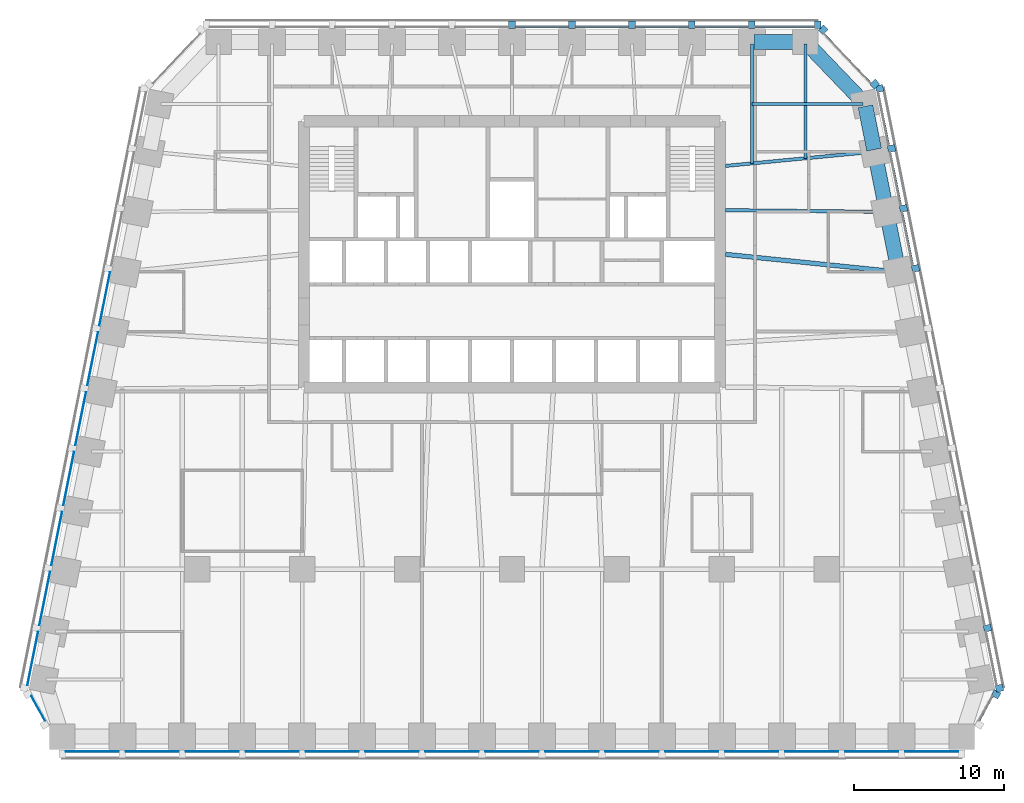
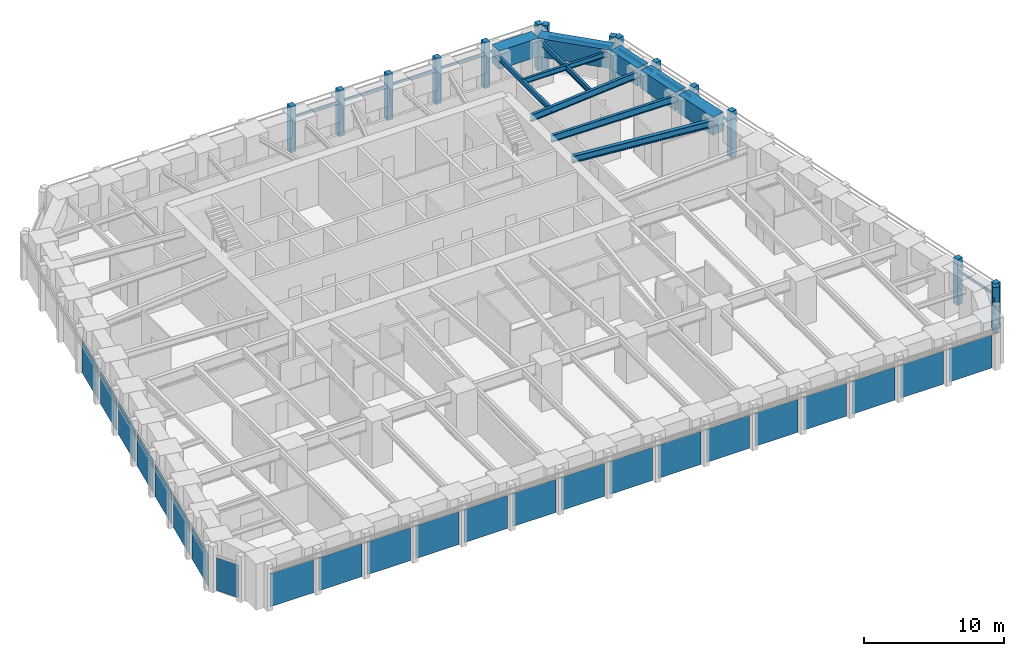
# One storey, part 4 of 10: 26 members, 23 plates, 11 beams, 7 elements without a shape of their own.
"""IFC4 building model written with IfcOpenShell, lengths in metres."""

from ifc_helpers import new_model, si_unit, direction, frame, origin, origin_2d, place, context, subcontext, project, spatial, rectangle, i_section, extrude, material, layer, layer_set, material_profile, profile_set, type_object, element, aggregate, save


model = new_model("IFC4")

# Units and contexts
model_context = context("Model", 3, precision=1e-05, world=origin(), true_north=direction((0.0, 1.0)))
body_context = subcontext(model_context, "Body", "Model", "MODEL_VIEW")
ifc_project = project(units=[si_unit("LENGTHUNIT", "METRE"), si_unit("AREAUNIT", "SQUARE_METRE"), si_unit("VOLUMEUNIT", "CUBIC_METRE"), si_unit("PLANEANGLEUNIT", "RADIAN"), si_unit("MASSUNIT", "GRAM", prefix="KILO")], contexts=[model_context])

# Site, building, storey
site_placement = place(None, origin())
site = spatial("IfcSite", under=ifc_project, at=site_placement, CompositionType="ELEMENT")
building_placement = place(site_placement, origin())
building = spatial("IfcBuilding", under=site, at=building_placement, Name="Isbrekke Arena Tower", CompositionType="ELEMENT")
storey_placement = place(building_placement, frame((0.0, 0.0, 155.0)))
storey = spatial("IfcBuildingStorey", under=building, at=storey_placement, Name="L35", CompositionType="ELEMENT", Elevation=155.0)

# Beams
ifc_material_1 = material(Name="Steel S355", Category="steel")
ifc_material_profile_1 = material_profile(ifc_material_1, i_section(OverallWidth=0.219970703125, OverallDepth=0.60009765625, WebThickness=0.011962890625, FlangeThickness=0.01904296875, FilletRadius=0.02392578125, at=origin_2d()), Name="IPE 600")
ifc_profile_set_1 = profile_set([ifc_material_profile_1], Name="Steel S355")
beam_type_1 = type_object("IfcBeamType", Name="B1 IPE 600", PredefinedType="BEAM", material=ifc_profile_set_1)
beam_1_placement = place(storey_placement, frame((24.83984375, 17.838134765625, 3.550048828125), z_axis=(-0.999944260169, 0.010558245831, 0.0), x_axis=(-0.010558245831, -0.999944260169, 0.0)))
element("IfcBeam", 1, at=beam_1_placement, inside=storey, type_object=beam_type_1, Name="B1 beam E-E09 L35", PredefinedType="BEAM", context=body_context, shape_type="SweptSolid", body=[
    extrude(i_section(OverallWidth=0.219970703125, OverallDepth=0.60009765625, WebThickness=0.011962890625, FlangeThickness=0.01904296875, FilletRadius=0.02392578125, at=origin_2d()), origin(), (0.0, 0.0, 1.0), 10.59033203125),
])
beam_2_placement = place(storey_placement, frame((24.030517578125, 21.837158203125, 3.550048828125), z_axis=(-0.995439798606, -0.095391862082, 0.0), x_axis=(0.095391862082, -0.995439798606, 0.0)))
element("IfcBeam", 2, at=beam_2_placement, inside=storey, type_object=beam_type_1, Name="B1 beam E-E10 L35", PredefinedType="BEAM", context=body_context, shape_type="SweptSolid", body=[
    extrude(i_section(OverallWidth=0.219970703125, OverallDepth=0.60009765625, WebThickness=0.011962890625, FlangeThickness=0.01904296875, FilletRadius=0.02392578125, at=origin_2d()), origin(), (0.0, 0.0, 1.0), 9.825439453125),
])
ifc_material_2 = material(Name="Steel S355", Category="steel")
ifc_material_profile_2 = material_profile(ifc_material_2, i_section(OverallWidth=0.18994140625, OverallDepth=0.449951171875, WebThickness=0.009521484375, FlangeThickness=0.0146484375, FilletRadius=0.02099609375, at=origin_2d()), Name="IPE 450")
ifc_profile_set_2 = profile_set([ifc_material_profile_2], Name="Steel S355")
beam_type_2 = type_object("IfcBeamType", Name="B2 IPE 450", PredefinedType="BEAM", material=ifc_profile_set_2)
beam_3_placement = place(storey_placement, frame((23.40283203125, 25.029296875, 3.625), z_axis=(-1.0, 0.0, 0.0), x_axis=(0.0, -1.0, 0.0)))
element("IfcBeam", 3, at=beam_3_placement, inside=storey, type_object=beam_type_2, Name="B2 beam E-E11 L35", PredefinedType="BEAM", context=body_context, shape_type="SweptSolid", body=[
    extrude(i_section(OverallWidth=0.18994140625, OverallDepth=0.449951171875, WebThickness=0.009521484375, FlangeThickness=0.0146484375, FilletRadius=0.02099609375, at=origin_2d()), origin(), (0.0, 0.0, 1.0), 7.40283203125),
])
ifc_material_3 = material(Name="Steel S355", Category="steel")
ifc_material_profile_3 = material_profile(ifc_material_3, i_section(OverallWidth=0.18994140625, OverallDepth=0.449951171875, WebThickness=0.009521484375, FlangeThickness=0.0146484375, FilletRadius=0.02099609375, at=origin_2d()), Name="IPE 450")
ifc_profile_set_3 = profile_set([ifc_material_profile_3], Name="Steel S355")
beam_type_3 = type_object("IfcBeamType", Name="B3 IPE 450", PredefinedType="BEAM", material=ifc_profile_set_3)
beam_4_placement = place(storey_placement, frame((19.574951171875, 29.02490234375, 3.625), z_axis=(0.0, -1.0, 0.0), x_axis=(1.0, 0.0, 0.0)))
element("IfcBeam", 4, at=beam_4_placement, inside=storey, type_object=beam_type_3, Name="B3 beam N-N01 L35", PredefinedType="BEAM", context=body_context, shape_type="SweptSolid", body=[
    extrude(i_section(OverallWidth=0.18994140625, OverallDepth=0.449951171875, WebThickness=0.009521484375, FlangeThickness=0.0146484375, FilletRadius=0.02099609375, at=origin_2d()), origin(), (0.0, 0.0, 1.0), 7.61474609375),
])
beam_5_placement = place(storey_placement, frame((16.0, 29.02490234375, 3.625), z_axis=(0.0, -1.0, 0.0), x_axis=(1.0, 0.0, 0.0)))
element("IfcBeam", 5, at=beam_5_placement, inside=storey, type_object=beam_type_3, Name="B3 beam N-N02 L35", PredefinedType="BEAM", context=body_context, shape_type="SweptSolid", body=[
    extrude(i_section(OverallWidth=0.18994140625, OverallDepth=0.449951171875, WebThickness=0.009521484375, FlangeThickness=0.0146484375, FilletRadius=0.02099609375, at=origin_2d()), origin(), (0.0, 0.0, 1.0), 7.957275390625),
])
ifc_material_4 = material(Name="Steel S355", Category="steel")
ifc_material_profile_4 = material_profile(ifc_material_4, i_section(OverallWidth=0.300048828125, OverallDepth=0.60009765625, WebThickness=0.015380859375, FlangeThickness=0.030029296875, FilletRadius=0.027099609375, at=origin_2d()), Name="HEB 600")
ifc_profile_set_4 = profile_set([ifc_material_profile_4], Name="Steel S355")
beam_type_4 = type_object("IfcBeamType", Name="B7 HEB 600", PredefinedType="BEAM", material=ifc_profile_set_4)
beam_6_placement = place(storey_placement, frame((25.6259765625, 13.83984375, 3.550048828125), z_axis=(-0.994839949319, 0.10145676537, 0.0), x_axis=(-0.10145676537, -0.994839949319, 0.0)))
element("IfcBeam", 6, at=beam_6_placement, inside=storey, type_object=beam_type_4, Name="B7 beam E-E08 L35", PredefinedType="BEAM", context=body_context, shape_type="SweptSolid", body=[
    extrude(i_section(OverallWidth=0.300048828125, OverallDepth=0.60009765625, WebThickness=0.015380859375, FlangeThickness=0.030029296875, FilletRadius=0.027099609375, at=origin_2d()), origin(), (0.0, 0.0, 1.0), 11.43505859375),
])

# Curtain wall, member
ifc_material_5 = material(Name="Glazed aluminium curtain wall", Category="aluminium")
curtain_wall_type = type_object("IfcCurtainWallType", Name="CWM TOWER CURTAIN WALL MID ZONE", PredefinedType="USERDEFINED", material=ifc_material_5)
curtain_wall_1_placement = place(storey_placement, origin())
curtain_wall_1 = element("IfcCurtainWall", 7, at=curtain_wall_1_placement, inside=storey, type_object=curtain_wall_type, Name="CWM curtain wall L35-SE", ObjectType="TOWER CURTAIN WALL MID ZONE", PredefinedType="USERDEFINED")
ifc_material_6 = material(Name="Aluminium mullion, pale brick slip cladding", Category="masonry")
ifc_material_profile_5 = material_profile(ifc_material_6, rectangle(XDim=0.449951171875, YDim=0.5, at=origin_2d()), Name="PIER 450X500")
ifc_profile_set_5 = profile_set([ifc_material_profile_5], Name="Aluminium mullion, pale brick slip cladding")
member_type_1 = type_object("IfcMemberType", Name="CWM-M PIER MULLION 450 x 500", PredefinedType="MULLION", material=ifc_profile_set_5)
member_1_placement = place(storey_placement, frame((32.296142578125, -14.34375, 0.0), z_axis=(0.0, 0.0, 1.0), x_axis=(0.481918749773, 0.876215908676, 0.0)))
member_1 = element("IfcMember", 8, at=member_1_placement, type_object=member_type_1, Name="CWM-M mullion 2", PredefinedType="MULLION", context=body_context, shape_type="SweptSolid", body=[
    extrude(rectangle(XDim=0.449951171875, YDim=0.5, at=origin_2d()), origin(), (0.0, 0.0, 1.0), 4.0),
])

# Curtain wall, members
curtain_wall_2_placement = place(storey_placement, origin())
curtain_wall_2 = element("IfcCurtainWall", 9, at=curtain_wall_2_placement, inside=storey, type_object=curtain_wall_type, Name="CWM curtain wall L35-E", ObjectType="TOWER CURTAIN WALL MID ZONE", PredefinedType="USERDEFINED")
member_2_placement = place(storey_placement, frame((32.518798828125, -13.936279296875, 0.0), z_axis=(0.0, 0.0, 1.0), x_axis=(-0.196116135138, 0.980580675691, 0.0)))
member_2 = element("IfcMember", 10, at=member_2_placement, type_object=member_type_1, Name="CWM-M mullion 1", PredefinedType="MULLION", context=body_context, shape_type="SweptSolid", body=[
    extrude(rectangle(XDim=0.449951171875, YDim=0.5, at=origin_2d()), origin(), (0.0, 0.0, 1.0), 4.0),
])
member_3_placement = place(storey_placement, frame((31.71875, -9.936279296875, 0.0), z_axis=(0.0, 0.0, 1.0), x_axis=(-0.196116135138, 0.980580675691, 0.0)))
member_3 = element("IfcMember", 11, at=member_3_placement, type_object=member_type_1, Name="CWM-M mullion 2", PredefinedType="MULLION", context=body_context, shape_type="SweptSolid", body=[
    extrude(rectangle(XDim=0.449951171875, YDim=0.5, at=origin_2d()), origin(), (0.0, 0.0, 1.0), 4.0),
])
member_4_placement = place(storey_placement, frame((26.918701171875, 14.063720703125, 0.0), z_axis=(0.0, 0.0, 1.0), x_axis=(-0.196116135138, 0.980580675691, 0.0)))
member_4 = element("IfcMember", 12, at=member_4_placement, type_object=member_type_1, Name="CWM-M mullion 8", PredefinedType="MULLION", context=body_context, shape_type="SweptSolid", body=[
    extrude(rectangle(XDim=0.449951171875, YDim=0.5, at=origin_2d()), origin(), (0.0, 0.0, 1.0), 4.0),
])
member_5_placement = place(storey_placement, frame((26.11865234375, 18.063720703125, 0.0), z_axis=(0.0, 0.0, 1.0), x_axis=(-0.196116135138, 0.980580675691, 0.0)))
member_5 = element("IfcMember", 13, at=member_5_placement, type_object=member_type_1, Name="CWM-M mullion 9", PredefinedType="MULLION", context=body_context, shape_type="SweptSolid", body=[
    extrude(rectangle(XDim=0.449951171875, YDim=0.5, at=origin_2d()), origin(), (0.0, 0.0, 1.0), 4.0),
])
member_6_placement = place(storey_placement, frame((25.318603515625, 22.063720703125, 0.0), z_axis=(0.0, 0.0, 1.0), x_axis=(-0.196116135138, 0.980580675691, 0.0)))
member_6 = element("IfcMember", 14, at=member_6_placement, type_object=member_type_1, Name="CWM-M mullion 10", PredefinedType="MULLION", context=body_context, shape_type="SweptSolid", body=[
    extrude(rectangle(XDim=0.449951171875, YDim=0.5, at=origin_2d()), origin(), (0.0, 0.0, 1.0), 4.0),
])
member_7_placement = place(storey_placement, frame((24.518798828125, 26.063720703125, 0.0), z_axis=(0.0, 0.0, 1.0), x_axis=(-0.196116135138, 0.980580675691, 0.0)))
member_7 = element("IfcMember", 15, at=member_7_placement, type_object=member_type_1, Name="CWM-M mullion 11", PredefinedType="MULLION", context=body_context, shape_type="SweptSolid", body=[
    extrude(rectangle(XDim=0.449951171875, YDim=0.5, at=origin_2d()), origin(), (0.0, 0.0, 1.0), 4.0),
])

curtain_wall_3_placement = place(storey_placement, origin())
curtain_wall_3 = element("IfcCurtainWall", 16, at=curtain_wall_3_placement, inside=storey, type_object=curtain_wall_type, Name="CWM curtain wall L35-EN", ObjectType="TOWER CURTAIN WALL MID ZONE", PredefinedType="USERDEFINED")
member_8_placement = place(storey_placement, frame((24.208251953125, 26.354248046875, 0.0), z_axis=(0.0, 0.0, 1.0), x_axis=(-0.68874946192, 0.72499943359, 0.0)))
member_8 = element("IfcMember", 17, at=member_8_placement, type_object=member_type_1, Name="CWM-M mullion 1", PredefinedType="MULLION", context=body_context, shape_type="SweptSolid", body=[
    extrude(rectangle(XDim=0.449951171875, YDim=0.5, at=origin_2d()), origin(), (0.0, 0.0, 1.0), 4.0),
])
member_9_placement = place(storey_placement, frame((20.7587890625, 29.9853515625, 0.0), z_axis=(0.0, 0.0, 1.0), x_axis=(-0.68874946192, 0.72499943359, 0.0)))
member_9 = element("IfcMember", 18, at=member_9_placement, type_object=member_type_1, Name="CWM-M mullion 2", PredefinedType="MULLION", context=body_context, shape_type="SweptSolid", body=[
    extrude(rectangle(XDim=0.449951171875, YDim=0.5, at=origin_2d()), origin(), (0.0, 0.0, 1.0), 4.0),
])

curtain_wall_4_placement = place(storey_placement, origin())
curtain_wall_4 = element("IfcCurtainWall", 19, at=curtain_wall_4_placement, inside=storey, type_object=curtain_wall_type, Name="CWM curtain wall L35-N", ObjectType="TOWER CURTAIN WALL MID ZONE", PredefinedType="USERDEFINED")
member_10_placement = place(storey_placement, frame((20.39990234375, 30.324951171875, 0.0), z_axis=(0.0, 0.0, 1.0), x_axis=(-1.0, 0.0, 0.0)))
member_10 = element("IfcMember", 20, at=member_10_placement, type_object=member_type_1, Name="CWM-M mullion 1", PredefinedType="MULLION", context=body_context, shape_type="SweptSolid", body=[
    extrude(rectangle(XDim=0.449951171875, YDim=0.5, at=origin_2d()), origin(), (0.0, 0.0, 1.0), 4.0),
])
member_11_placement = place(storey_placement, frame((16.0, 30.324951171875, 0.0), z_axis=(0.0, 0.0, 1.0), x_axis=(-1.0, 0.0, 0.0)))
member_11 = element("IfcMember", 21, at=member_11_placement, type_object=member_type_1, Name="CWM-M mullion 2", PredefinedType="MULLION", context=body_context, shape_type="SweptSolid", body=[
    extrude(rectangle(XDim=0.449951171875, YDim=0.5, at=origin_2d()), origin(), (0.0, 0.0, 1.0), 4.0),
])
member_12_placement = place(storey_placement, frame((12.0, 30.324951171875, 0.0), z_axis=(0.0, 0.0, 1.0), x_axis=(-1.0, 0.0, 0.0)))
member_12 = element("IfcMember", 22, at=member_12_placement, type_object=member_type_1, Name="CWM-M mullion 3", PredefinedType="MULLION", context=body_context, shape_type="SweptSolid", body=[
    extrude(rectangle(XDim=0.449951171875, YDim=0.5, at=origin_2d()), origin(), (0.0, 0.0, 1.0), 4.0),
])
member_13_placement = place(storey_placement, frame((8.0, 30.324951171875, 0.0), z_axis=(0.0, 0.0, 1.0), x_axis=(-1.0, 0.0, 0.0)))
member_13 = element("IfcMember", 23, at=member_13_placement, type_object=member_type_1, Name="CWM-M mullion 4", PredefinedType="MULLION", context=body_context, shape_type="SweptSolid", body=[
    extrude(rectangle(XDim=0.449951171875, YDim=0.5, at=origin_2d()), origin(), (0.0, 0.0, 1.0), 4.0),
])
member_14_placement = place(storey_placement, frame((4.0, 30.324951171875, 0.0), z_axis=(0.0, 0.0, 1.0), x_axis=(-1.0, 0.0, 0.0)))
member_14 = element("IfcMember", 24, at=member_14_placement, type_object=member_type_1, Name="CWM-M mullion 5", PredefinedType="MULLION", context=body_context, shape_type="SweptSolid", body=[
    extrude(rectangle(XDim=0.449951171875, YDim=0.5, at=origin_2d()), origin(), (0.0, 0.0, 1.0), 4.0),
])
member_15_placement = place(storey_placement, frame((0.0, 30.324951171875, 0.0), z_axis=(0.0, 0.0, 1.0), x_axis=(-1.0, 0.0, 0.0)))
member_15 = element("IfcMember", 25, at=member_15_placement, type_object=member_type_1, Name="CWM-M mullion 6", PredefinedType="MULLION", context=body_context, shape_type="SweptSolid", body=[
    extrude(rectangle(XDim=0.449951171875, YDim=0.5, at=origin_2d()), origin(), (0.0, 0.0, 1.0), 4.0),
])

# Member
ifc_material_7 = material(Name="Aluminium transom", Category="aluminium")
ifc_material_profile_6 = material_profile(ifc_material_7, rectangle(XDim=0.1201171875, YDim=0.199951171875, at=origin_2d()), Name="TRANSOM 120X200")
ifc_profile_set_6 = profile_set([ifc_material_profile_6], Name="Aluminium transom")
member_type_2 = type_object("IfcMemberType", Name="CWM-T TRANSOM 120 x 200", PredefinedType="USERDEFINED", material=ifc_profile_set_6)
member_16_placement = place(storey_placement, frame((31.152099609375, -16.112548828125, 3.0), z_axis=(0.482003669577, 0.876169197424, 0.0), x_axis=(-0.876169197424, 0.482003669577, 0.0)))
member_16 = element("IfcMember", 26, at=member_16_placement, type_object=member_type_2, Name="CWM-T transom 1", ObjectType="TRANSOM", PredefinedType="USERDEFINED", context=body_context, shape_type="SweptSolid", body=[
    extrude(rectangle(XDim=0.1201171875, YDim=0.199951171875, at=origin_2d()), origin(), (0.0, 0.0, 1.0), 1.876220703125),
])

aggregate(curtain_wall_1, [member_1, member_16])

member_17_placement = place(storey_placement, frame((32.327392578125, -13.7451171875, 3.0), z_axis=(-0.196090262229, 0.980585849918, 0.0), x_axis=(-0.980585849918, -0.196090262229, 0.0)))
member_17 = element("IfcMember", 27, at=member_17_placement, type_object=member_type_2, Name="CWM-T transom 1", ObjectType="TRANSOM", PredefinedType="USERDEFINED", context=body_context, shape_type="SweptSolid", body=[
    extrude(rectangle(XDim=0.1201171875, YDim=0.199951171875, at=origin_2d()), origin(), (0.0, 0.0, 1.0), 3.62939453125),
])

member_18_placement = place(storey_placement, frame((26.7275390625, 14.2548828125, 3.0), z_axis=(-0.196154943734, 0.980572913173, 0.0), x_axis=(-0.980572913173, -0.196154943734, 0.0)))
member_18 = element("IfcMember", 28, at=member_18_placement, type_object=member_type_2, Name="CWM-T transom 8", ObjectType="TRANSOM", PredefinedType="USERDEFINED", context=body_context, shape_type="SweptSolid", body=[
    extrude(rectangle(XDim=0.1201171875, YDim=0.199951171875, at=origin_2d()), origin(), (0.0, 0.0, 1.0), 3.62939453125),
])

member_19_placement = place(storey_placement, frame((25.927490234375, 18.2548828125, 3.0), z_axis=(-0.196090262229, 0.980585849918, 0.0), x_axis=(-0.980585849918, -0.196090262229, 0.0)))
member_19 = element("IfcMember", 29, at=member_19_placement, type_object=member_type_2, Name="CWM-T transom 9", ObjectType="TRANSOM", PredefinedType="USERDEFINED", context=body_context, shape_type="SweptSolid", body=[
    extrude(rectangle(XDim=0.1201171875, YDim=0.199951171875, at=origin_2d()), origin(), (0.0, 0.0, 1.0), 3.62939453125),
])

member_20_placement = place(storey_placement, frame((25.12744140625, 22.2548828125, 3.0), z_axis=(-0.196090262229, 0.980585849918, 0.0), x_axis=(-0.980585849918, -0.196090262229, 0.0)))
member_20 = element("IfcMember", 30, at=member_20_placement, type_object=member_type_2, Name="CWM-T transom 10", ObjectType="TRANSOM", PredefinedType="USERDEFINED", context=body_context, shape_type="SweptSolid", body=[
    extrude(rectangle(XDim=0.1201171875, YDim=0.199951171875, at=origin_2d()), origin(), (0.0, 0.0, 1.0), 3.62939453125),
])

aggregate(curtain_wall_2, [member_2, member_3, member_4, member_5, member_6, member_7, member_17, member_18, member_19, member_20])

member_21_placement = place(storey_placement, frame((23.944580078125, 26.4140625, 3.0), z_axis=(-0.688771983213, 0.724978037696, 0.0), x_axis=(-0.724978037696, -0.688771983213, 0.0)))
member_21 = element("IfcMember", 31, at=member_21_placement, type_object=member_type_2, Name="CWM-T transom 1", ObjectType="TRANSOM", PredefinedType="USERDEFINED", context=body_context, shape_type="SweptSolid", body=[
    extrude(rectangle(XDim=0.1201171875, YDim=0.199951171875, at=origin_2d()), origin(), (0.0, 0.0, 1.0), 4.558349609375),
])

aggregate(curtain_wall_3, [member_8, member_9, member_21])

member_22_placement = place(storey_placement, frame((20.175048828125, 30.175048828125, 3.0), z_axis=(-1.0, 0.0, 0.0), x_axis=(0.0, -1.0, 0.0)))
member_22 = element("IfcMember", 32, at=member_22_placement, type_object=member_type_2, Name="CWM-T transom 1", ObjectType="TRANSOM", PredefinedType="USERDEFINED", context=body_context, shape_type="SweptSolid", body=[
    extrude(rectangle(XDim=0.1201171875, YDim=0.199951171875, at=origin_2d()), origin(), (0.0, 0.0, 1.0), 3.949951171875),
])

member_23_placement = place(storey_placement, frame((15.77490234375, 30.175048828125, 3.0), z_axis=(-1.0, 0.0, 0.0), x_axis=(0.0, -1.0, 0.0)))
member_23 = element("IfcMember", 33, at=member_23_placement, type_object=member_type_2, Name="CWM-T transom 2", ObjectType="TRANSOM", PredefinedType="USERDEFINED", context=body_context, shape_type="SweptSolid", body=[
    extrude(rectangle(XDim=0.1201171875, YDim=0.199951171875, at=origin_2d()), origin(), (0.0, 0.0, 1.0), 3.5498046875),
])

member_24_placement = place(storey_placement, frame((11.77490234375, 30.175048828125, 3.0), z_axis=(-1.0, 0.0, 0.0), x_axis=(0.0, -1.0, 0.0)))
member_24 = element("IfcMember", 34, at=member_24_placement, type_object=member_type_2, Name="CWM-T transom 3", ObjectType="TRANSOM", PredefinedType="USERDEFINED", context=body_context, shape_type="SweptSolid", body=[
    extrude(rectangle(XDim=0.1201171875, YDim=0.199951171875, at=origin_2d()), origin(), (0.0, 0.0, 1.0), 3.5498046875),
])

member_25_placement = place(storey_placement, frame((7.77490234375, 30.175048828125, 3.0), z_axis=(-1.0, 0.0, 0.0), x_axis=(0.0, -1.0, 0.0)))
member_25 = element("IfcMember", 35, at=member_25_placement, type_object=member_type_2, Name="CWM-T transom 4", ObjectType="TRANSOM", PredefinedType="USERDEFINED", context=body_context, shape_type="SweptSolid", body=[
    extrude(rectangle(XDim=0.1201171875, YDim=0.199951171875, at=origin_2d()), origin(), (0.0, 0.0, 1.0), 3.5498046875),
])

member_26_placement = place(storey_placement, frame((3.77490234375, 30.175048828125, 3.0), z_axis=(-1.0, 0.0, 0.0), x_axis=(0.0, -1.0, 0.0)))
member_26 = element("IfcMember", 36, at=member_26_placement, type_object=member_type_2, Name="CWM-T transom 5", ObjectType="TRANSOM", PredefinedType="USERDEFINED", context=body_context, shape_type="SweptSolid", body=[
    extrude(rectangle(XDim=0.1201171875, YDim=0.199951171875, at=origin_2d()), origin(), (0.0, 0.0, 1.0), 3.5498046875),
])

aggregate(curtain_wall_4, [member_10, member_11, member_12, member_13, member_14, member_15, member_22, member_23, member_24, member_25, member_26])

# Beams
ifc_material_8 = material(Name="Concrete B80 (C80/95)", Category="concrete")
ifc_material_profile_7 = material_profile(ifc_material_8, rectangle(XDim=1.0, YDim=1.60009765625, at=origin_2d()), Name="RC 1000x1600")
ifc_profile_set_7 = profile_set([ifc_material_profile_7], Name="Concrete B80 (C80/95)")
beam_type_5 = type_object("IfcBeamType", Name="SB2 RC 1000 x 1600", PredefinedType="SPANDREL", material=ifc_profile_set_7)
for number, where, z_axis, x_axis, name in (
    (37, (25.76171875, 13.9853515625, 3.199951171875), (-0.196128558387, 0.980578190959, 0.0), (-0.980578190959, -0.196128558387, 0.0), "SB2 spandrel E08-E09 L35"),
    (38, (24.961669921875, 17.9853515625, 3.199951171875), (-0.196128558387, 0.980578190959, 0.0), (-0.980578190959, -0.196128558387, 0.0), "SB2 spandrel E09-E10 L35"),
):
    element("IfcBeam", number, at=place(storey_placement, frame(where, z_axis=z_axis, x_axis=x_axis)), inside=storey, type_object=beam_type_5, Name=name, PredefinedType="SPANDREL", context=body_context, shape_type="SweptSolid", body=[
        extrude(rectangle(XDim=1.0, YDim=1.60009765625, at=origin_2d()), origin(), (0.0, 0.0, 1.0), 3.779296875),
    ])
beam_7_placement = place(storey_placement, frame((24.16162109375, 21.9853515625, 3.199951171875), z_axis=(-0.196116135138, 0.980580675691, 0.0), x_axis=(-0.980580675691, -0.196116135138, 0.0)))
element("IfcBeam", 39, at=beam_7_placement, inside=storey, type_object=beam_type_5, Name="SB2 spandrel E10-E11 L35", PredefinedType="SPANDREL", context=body_context, shape_type="SweptSolid", body=[
    extrude(rectangle(XDim=1.0, YDim=1.60009765625, at=origin_2d()), origin(), (0.0, 0.0, 1.0), 2.9541015625),
])
beam_8_placement = place(storey_placement, frame((23.448974609375, 25.137451171875, 3.199951171875), z_axis=(-0.692339547635, 0.721571861134, 0.0), x_axis=(-0.721571861134, -0.692339547635, 0.0)))
element("IfcBeam", 40, at=beam_8_placement, inside=storey, type_object=beam_type_5, Name="SB2 spandrel E11-N01 L35", PredefinedType="SPANDREL", context=body_context, shape_type="SweptSolid", body=[
    extrude(rectangle(XDim=1.0, YDim=1.60009765625, at=origin_2d()), origin(), (0.0, 0.0, 1.0), 5.4453125),
])
beam_9_placement = place(storey_placement, frame((19.425048828125, 29.175048828125, 3.199951171875), z_axis=(-1.0, 0.0, 0.0), x_axis=(0.0, -1.0, 0.0)))
element("IfcBeam", 41, at=beam_9_placement, inside=storey, type_object=beam_type_5, Name="SB2 spandrel N01-N02 L35", PredefinedType="SPANDREL", context=body_context, shape_type="SweptSolid", body=[
    extrude(rectangle(XDim=1.0, YDim=1.60009765625, at=origin_2d()), origin(), (0.0, 0.0, 1.0), 3.275146484375),
])

# Curtain wall, plates
curtain_wall_5_placement = place(storey_placement, origin())
curtain_wall_5 = element("IfcCurtainWall", 42, at=curtain_wall_5_placement, inside=storey, type_object=curtain_wall_type, Name="CWM curtain wall L35-S", ObjectType="TOWER CURTAIN WALL MID ZONE", PredefinedType="USERDEFINED")
ifc_material_9 = material(Name="Triple-glazed clear glass unit", Category="glass")
ifc_layer = layer(ifc_material_9, 0.031982421875)
ifc_layer_set = layer_set([ifc_layer], Name="CWM-P VISION PANEL")
plate_type = type_object("IfcPlateType", Name="CWM-P VISION PANEL", PredefinedType="CURTAIN_PANEL", material=ifc_layer_set)
plate_1_placement = place(storey_placement, frame((-28.0, -18.175048828125, 0.02001953125), z_axis=(0.0, 0.0, 1.0), x_axis=(1.0, 0.0, 0.0)))
plate_1 = element("IfcPlate", 43, at=plate_1_placement, type_object=plate_type, Name="CWM-P panel 1", PredefinedType="CURTAIN_PANEL", context=body_context, shape_type="SweptSolid", body=[
    extrude(rectangle(XDim=3.550048828125, YDim=0.031982421875, at=origin_2d()), origin(), (0.0, 0.0, 1.0), 2.8798828125),
])
plate_2_placement = place(storey_placement, frame((-24.0, -18.175048828125, 0.02001953125), z_axis=(0.0, 0.0, 1.0), x_axis=(1.0, 0.0, 0.0)))
plate_2 = element("IfcPlate", 44, at=plate_2_placement, type_object=plate_type, Name="CWM-P panel 2", PredefinedType="CURTAIN_PANEL", context=body_context, shape_type="SweptSolid", body=[
    extrude(rectangle(XDim=3.550048828125, YDim=0.031982421875, at=origin_2d()), origin(), (0.0, 0.0, 1.0), 2.8798828125),
])
plate_3_placement = place(storey_placement, frame((-20.0, -18.175048828125, 0.02001953125), z_axis=(0.0, 0.0, 1.0), x_axis=(1.0, 0.0, 0.0)))
plate_3 = element("IfcPlate", 45, at=plate_3_placement, type_object=plate_type, Name="CWM-P panel 3", PredefinedType="CURTAIN_PANEL", context=body_context, shape_type="SweptSolid", body=[
    extrude(rectangle(XDim=3.550048828125, YDim=0.031982421875, at=origin_2d()), origin(), (0.0, 0.0, 1.0), 2.8798828125),
])
plate_4_placement = place(storey_placement, frame((-16.0, -18.175048828125, 0.02001953125), z_axis=(0.0, 0.0, 1.0), x_axis=(1.0, 0.0, 0.0)))
plate_4 = element("IfcPlate", 46, at=plate_4_placement, type_object=plate_type, Name="CWM-P panel 4", PredefinedType="CURTAIN_PANEL", context=body_context, shape_type="SweptSolid", body=[
    extrude(rectangle(XDim=3.550048828125, YDim=0.031982421875, at=origin_2d()), origin(), (0.0, 0.0, 1.0), 2.8798828125),
])
plate_5_placement = place(storey_placement, frame((-12.0, -18.175048828125, 0.02001953125), z_axis=(0.0, 0.0, 1.0), x_axis=(1.0, 0.0, 0.0)))
plate_5 = element("IfcPlate", 47, at=plate_5_placement, type_object=plate_type, Name="CWM-P panel 5", PredefinedType="CURTAIN_PANEL", context=body_context, shape_type="SweptSolid", body=[
    extrude(rectangle(XDim=3.550048828125, YDim=0.031982421875, at=origin_2d()), origin(), (0.0, 0.0, 1.0), 2.8798828125),
])
plate_6_placement = place(storey_placement, frame((-8.0, -18.175048828125, 0.02001953125), z_axis=(0.0, 0.0, 1.0), x_axis=(1.0, 0.0, 0.0)))
plate_6 = element("IfcPlate", 48, at=plate_6_placement, type_object=plate_type, Name="CWM-P panel 6", PredefinedType="CURTAIN_PANEL", context=body_context, shape_type="SweptSolid", body=[
    extrude(rectangle(XDim=3.550048828125, YDim=0.031982421875, at=origin_2d()), origin(), (0.0, 0.0, 1.0), 2.8798828125),
])
plate_7_placement = place(storey_placement, frame((-4.0, -18.175048828125, 0.02001953125), z_axis=(0.0, 0.0, 1.0), x_axis=(1.0, 0.0, 0.0)))
plate_7 = element("IfcPlate", 49, at=plate_7_placement, type_object=plate_type, Name="CWM-P panel 7", PredefinedType="CURTAIN_PANEL", context=body_context, shape_type="SweptSolid", body=[
    extrude(rectangle(XDim=3.550048828125, YDim=0.031982421875, at=origin_2d()), origin(), (0.0, 0.0, 1.0), 2.8798828125),
])
plate_8_placement = place(storey_placement, frame((0.0, -18.175048828125, 0.02001953125), z_axis=(0.0, 0.0, 1.0), x_axis=(1.0, 0.0, 0.0)))
plate_8 = element("IfcPlate", 50, at=plate_8_placement, type_object=plate_type, Name="CWM-P panel 8", PredefinedType="CURTAIN_PANEL", context=body_context, shape_type="SweptSolid", body=[
    extrude(rectangle(XDim=3.550048828125, YDim=0.031982421875, at=origin_2d()), origin(), (0.0, 0.0, 1.0), 2.8798828125),
])
plate_9_placement = place(storey_placement, frame((4.0, -18.175048828125, 0.02001953125), z_axis=(0.0, 0.0, 1.0), x_axis=(1.0, 0.0, 0.0)))
plate_9 = element("IfcPlate", 51, at=plate_9_placement, type_object=plate_type, Name="CWM-P panel 9", PredefinedType="CURTAIN_PANEL", context=body_context, shape_type="SweptSolid", body=[
    extrude(rectangle(XDim=3.550048828125, YDim=0.031982421875, at=origin_2d()), origin(), (0.0, 0.0, 1.0), 2.8798828125),
])
plate_10_placement = place(storey_placement, frame((8.0, -18.175048828125, 0.02001953125), z_axis=(0.0, 0.0, 1.0), x_axis=(1.0, 0.0, 0.0)))
plate_10 = element("IfcPlate", 52, at=plate_10_placement, type_object=plate_type, Name="CWM-P panel 10", PredefinedType="CURTAIN_PANEL", context=body_context, shape_type="SweptSolid", body=[
    extrude(rectangle(XDim=3.550048828125, YDim=0.031982421875, at=origin_2d()), origin(), (0.0, 0.0, 1.0), 2.8798828125),
])
plate_11_placement = place(storey_placement, frame((12.0, -18.175048828125, 0.02001953125), z_axis=(0.0, 0.0, 1.0), x_axis=(1.0, 0.0, 0.0)))
plate_11 = element("IfcPlate", 53, at=plate_11_placement, type_object=plate_type, Name="CWM-P panel 11", PredefinedType="CURTAIN_PANEL", context=body_context, shape_type="SweptSolid", body=[
    extrude(rectangle(XDim=3.550048828125, YDim=0.031982421875, at=origin_2d()), origin(), (0.0, 0.0, 1.0), 2.8798828125),
])
plate_12_placement = place(storey_placement, frame((16.0, -18.175048828125, 0.02001953125), z_axis=(0.0, 0.0, 1.0), x_axis=(1.0, 0.0, 0.0)))
plate_12 = element("IfcPlate", 54, at=plate_12_placement, type_object=plate_type, Name="CWM-P panel 12", PredefinedType="CURTAIN_PANEL", context=body_context, shape_type="SweptSolid", body=[
    extrude(rectangle(XDim=3.550048828125, YDim=0.031982421875, at=origin_2d()), origin(), (0.0, 0.0, 1.0), 2.8798828125),
])
plate_13_placement = place(storey_placement, frame((20.0, -18.175048828125, 0.02001953125), z_axis=(0.0, 0.0, 1.0), x_axis=(1.0, 0.0, 0.0)))
plate_13 = element("IfcPlate", 55, at=plate_13_placement, type_object=plate_type, Name="CWM-P panel 13", PredefinedType="CURTAIN_PANEL", context=body_context, shape_type="SweptSolid", body=[
    extrude(rectangle(XDim=3.550048828125, YDim=0.031982421875, at=origin_2d()), origin(), (0.0, 0.0, 1.0), 2.8798828125),
])
plate_14_placement = place(storey_placement, frame((24.0, -18.175048828125, 0.02001953125), z_axis=(0.0, 0.0, 1.0), x_axis=(1.0, 0.0, 0.0)))
plate_14 = element("IfcPlate", 56, at=plate_14_placement, type_object=plate_type, Name="CWM-P panel 14", PredefinedType="CURTAIN_PANEL", context=body_context, shape_type="SweptSolid", body=[
    extrude(rectangle(XDim=3.550048828125, YDim=0.031982421875, at=origin_2d()), origin(), (0.0, 0.0, 1.0), 2.8798828125),
])
plate_15_placement = place(storey_placement, frame((28.0, -18.175048828125, 0.02001953125), z_axis=(0.0, 0.0, 1.0), x_axis=(1.0, 0.0, 0.0)))
plate_15 = element("IfcPlate", 57, at=plate_15_placement, type_object=plate_type, Name="CWM-P panel 15", PredefinedType="CURTAIN_PANEL", context=body_context, shape_type="SweptSolid", body=[
    extrude(rectangle(XDim=3.550048828125, YDim=0.031982421875, at=origin_2d()), origin(), (0.0, 0.0, 1.0), 2.8798828125),
])
aggregate(curtain_wall_5, [plate_1, plate_2, plate_3, plate_4, plate_5, plate_6, plate_7, plate_8, plate_9, plate_10, plate_11, plate_12, plate_13, plate_14, plate_15])

curtain_wall_6_placement = place(storey_placement, origin())
curtain_wall_6 = element("IfcCurtainWall", 58, at=curtain_wall_6_placement, inside=storey, type_object=curtain_wall_type, Name="CWM curtain wall L35-W", ObjectType="TOWER CURTAIN WALL MID ZONE", PredefinedType="USERDEFINED")
plate_16_placement = place(storey_placement, frame((-27.171630859375, 12.034423828125, 0.02001953125), z_axis=(0.0, 0.0, 1.0), x_axis=(-0.196116135138, -0.980580675691, 0.0)))
plate_16 = element("IfcPlate", 59, at=plate_16_placement, type_object=plate_type, Name="CWM-P panel 4", PredefinedType="CURTAIN_PANEL", context=body_context, shape_type="SweptSolid", body=[
    extrude(rectangle(XDim=3.629150390625, YDim=0.031982421875, at=origin_2d()), origin(), (0.0, 0.0, 1.0), 2.8798828125),
])
plate_17_placement = place(storey_placement, frame((-27.9716796875, 8.034423828125, 0.02001953125), z_axis=(0.0, 0.0, 1.0), x_axis=(-0.196116135138, -0.980580675691, 0.0)))
plate_17 = element("IfcPlate", 60, at=plate_17_placement, type_object=plate_type, Name="CWM-P panel 5", PredefinedType="CURTAIN_PANEL", context=body_context, shape_type="SweptSolid", body=[
    extrude(rectangle(XDim=3.629150390625, YDim=0.031982421875, at=origin_2d()), origin(), (0.0, 0.0, 1.0), 2.8798828125),
])
plate_18_placement = place(storey_placement, frame((-28.771484375, 4.034423828125, 0.02001953125), z_axis=(0.0, 0.0, 1.0), x_axis=(-0.196116135138, -0.980580675691, 0.0)))
plate_18 = element("IfcPlate", 61, at=plate_18_placement, type_object=plate_type, Name="CWM-P panel 6", PredefinedType="CURTAIN_PANEL", context=body_context, shape_type="SweptSolid", body=[
    extrude(rectangle(XDim=3.629150390625, YDim=0.031982421875, at=origin_2d()), origin(), (0.0, 0.0, 1.0), 2.8798828125),
])
plate_19_placement = place(storey_placement, frame((-29.571533203125, 0.034423828125, 0.02001953125), z_axis=(0.0, 0.0, 1.0), x_axis=(-0.196116135138, -0.980580675691, 0.0)))
plate_19 = element("IfcPlate", 62, at=plate_19_placement, type_object=plate_type, Name="CWM-P panel 7", PredefinedType="CURTAIN_PANEL", context=body_context, shape_type="SweptSolid", body=[
    extrude(rectangle(XDim=3.629150390625, YDim=0.031982421875, at=origin_2d()), origin(), (0.0, 0.0, 1.0), 2.8798828125),
])
plate_20_placement = place(storey_placement, frame((-30.37158203125, -3.965576171875, 0.02001953125), z_axis=(0.0, 0.0, 1.0), x_axis=(-0.196116135138, -0.980580675691, 0.0)))
plate_20 = element("IfcPlate", 63, at=plate_20_placement, type_object=plate_type, Name="CWM-P panel 8", PredefinedType="CURTAIN_PANEL", context=body_context, shape_type="SweptSolid", body=[
    extrude(rectangle(XDim=3.629150390625, YDim=0.031982421875, at=origin_2d()), origin(), (0.0, 0.0, 1.0), 2.8798828125),
])
plate_21_placement = place(storey_placement, frame((-31.171630859375, -7.965576171875, 0.02001953125), z_axis=(0.0, 0.0, 1.0), x_axis=(-0.196116135138, -0.980580675691, 0.0)))
plate_21 = element("IfcPlate", 64, at=plate_21_placement, type_object=plate_type, Name="CWM-P panel 9", PredefinedType="CURTAIN_PANEL", context=body_context, shape_type="SweptSolid", body=[
    extrude(rectangle(XDim=3.629150390625, YDim=0.031982421875, at=origin_2d()), origin(), (0.0, 0.0, 1.0), 2.8798828125),
])
plate_22_placement = place(storey_placement, frame((-31.9716796875, -11.965576171875, 0.02001953125), z_axis=(0.0, 0.0, 1.0), x_axis=(-0.196116135138, -0.980580675691, 0.0)))
plate_22 = element("IfcPlate", 65, at=plate_22_placement, type_object=plate_type, Name="CWM-P panel 10", PredefinedType="CURTAIN_PANEL", context=body_context, shape_type="SweptSolid", body=[
    extrude(rectangle(XDim=3.629150390625, YDim=0.031982421875, at=origin_2d()), origin(), (0.0, 0.0, 1.0), 2.8798828125),
])
aggregate(curtain_wall_6, [plate_16, plate_17, plate_18, plate_19, plate_20, plate_21, plate_22])

# Curtain wall, plate
curtain_wall_7_placement = place(storey_placement, origin())
curtain_wall_7 = element("IfcCurtainWall", 66, at=curtain_wall_7_placement, inside=storey, type_object=curtain_wall_type, Name="CWM curtain wall L35-WS", ObjectType="TOWER CURTAIN WALL MID ZONE", PredefinedType="USERDEFINED")
plate_23_placement = place(storey_placement, frame((-31.60400390625, -15.291015625, 0.02001953125), z_axis=(0.0, 0.0, 1.0), x_axis=(0.481918749773, -0.876215908676, 0.0)))
plate_23 = element("IfcPlate", 67, at=plate_23_placement, type_object=plate_type, Name="CWM-P panel 1", PredefinedType="CURTAIN_PANEL", context=body_context, shape_type="SweptSolid", body=[
    extrude(rectangle(XDim=1.878173828125, YDim=0.031982421875, at=origin_2d()), origin(), (0.0, 0.0, 1.0), 2.8798828125),
])
aggregate(curtain_wall_7, [plate_23])

save(model, "model.ifc")
